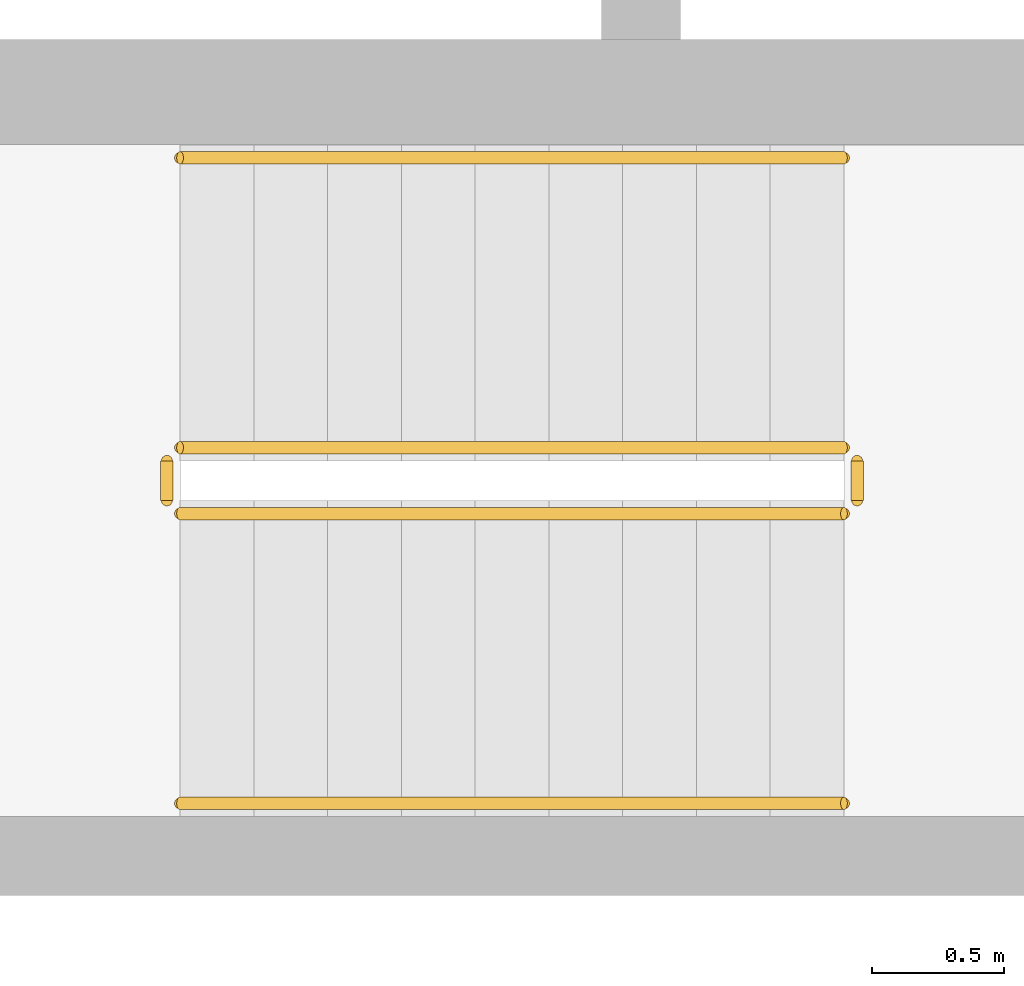
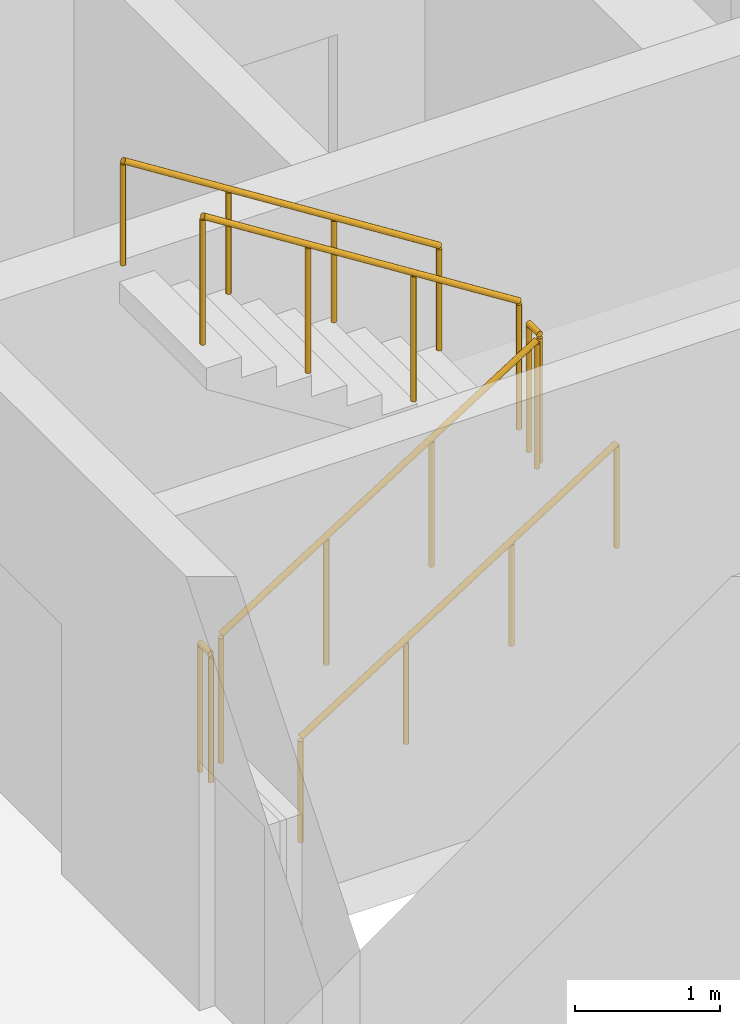
# One storey, part 14 of 16: 6 railings.
"""IFC4 building model written with IfcOpenShell, lengths in metres."""

from ifc_helpers import new_model, si_unit, direction, frame, origin, origin_2d, place, context, subcontext, project, spatial, circle, extrude, material, type_object, element, save


model = new_model("IFC4")

# Units and contexts
model_context = context("Model", 3, precision=1e-05, world=origin(), true_north=direction((0.0, 1.0)))
body_context = subcontext(model_context, "Body", "Model", "MODEL_VIEW")
ifc_project = project(units=[si_unit("LENGTHUNIT", "METRE"), si_unit("AREAUNIT", "SQUARE_METRE"), si_unit("VOLUMEUNIT", "CUBIC_METRE"), si_unit("PLANEANGLEUNIT", "RADIAN"), si_unit("MASSUNIT", "GRAM", prefix="KILO")], contexts=[model_context])

# Site, building, storey
site_placement = place(None, origin())
site = spatial("IfcSite", under=ifc_project, at=site_placement, CompositionType="ELEMENT")
building_placement = place(site_placement, origin())
building = spatial("IfcBuilding", under=site, at=building_placement, Name="Ostrand Prow Hotel Tower", CompositionType="ELEMENT")
storey_placement = place(building_placement, frame((0.0, 0.0, 249.199951171875)))
storey = spatial("IfcBuildingStorey", under=building, at=storey_placement, Name="L63", CompositionType="ELEMENT", Elevation=249.199951171875)

# Railings
ifc_material_1 = material(Name="Painted steel", Category="steel")
railing_type_1 = type_object("IfcRailingType", Name="Stair guard 1100", PredefinedType="GUARDRAIL", material=ifc_material_1)
railing_1_placement = place(storey_placement, frame((57.199951171875, -11.75, 0.177490234375)))
element("IfcRailing", 1, at=railing_1_placement, inside=storey, type_object=railing_type_1, Name="L63 ST2C stair guard 1", PredefinedType="GUARDRAIL", context=body_context, shape_type="SweptSolid", body=[
    extrude(circle(Radius=0.02392578125, at=origin_2d()), frame((0.0, 0.0, 1.076171875), z_axis=(0.84456994832, 0.0, 0.535445237532), x_axis=(0.0, 1.0, 0.0)), (0.0, 0.0, 1.0), 2.98388671875),
    extrude(circle(Radius=0.02099609375, at=origin_2d()), origin(), (0.0, 0.0, 1.0), 1.052001953125),
    extrude(circle(Radius=0.02099609375, at=origin_2d()), frame((0.840087890625, 0.0, 0.532470703125)), (0.0, 0.0, 1.0), 1.052001953125),
    extrude(circle(Radius=0.02099609375, at=origin_2d()), frame((1.679931640625, 0.0, 1.065185546875)), (0.0, 0.0, 1.0), 1.052001953125),
    extrude(circle(Radius=0.02099609375, at=origin_2d()), frame((2.52001953125, 0.0, 1.59765625)), (0.0, 0.0, 1.0), 1.052001953125),
])
railing_2_placement = place(storey_placement, frame((59.77001953125, -11.699951171875, 1.775146484375)))
element("IfcRailing", 2, at=railing_2_placement, inside=storey, type_object=railing_type_1, Name="L63 ST2C stair guard 2", PredefinedType="GUARDRAIL", context=body_context, shape_type="SweptSolid", body=[
    extrude(circle(Radius=0.02392578125, at=origin_2d()), frame((0.0, 0.0, 1.076171875), z_axis=(0.0, 1.0, 0.0), x_axis=(-1.0, 0.0, 0.0)), (0.0, 0.0, 1.0), 0.14990234375),
    extrude(circle(Radius=0.02099609375, at=origin_2d()), origin(), (0.0, 0.0, 1.0), 1.052001953125),
    extrude(circle(Radius=0.02099609375, at=origin_2d()), frame((0.0, 0.14990234375, 0.0)), (0.0, 0.0, 1.0), 1.052001953125),
])
railing_3_placement = place(storey_placement, frame((59.719970703125, -11.5, 1.95263671875)))
element("IfcRailing", 3, at=railing_3_placement, inside=storey, type_object=railing_type_1, Name="L63 ST2C stair guard 3", PredefinedType="GUARDRAIL", context=body_context, shape_type="SweptSolid", body=[
    extrude(circle(Radius=0.02392578125, at=origin_2d()), frame((0.0, 0.0, 1.076171875), z_axis=(-0.84460694969, 0.0, 0.535386869969), x_axis=(0.0, -1.0, 0.0)), (0.0, 0.0, 1.0), 2.983642578125),
    extrude(circle(Radius=0.02099609375, at=origin_2d()), origin(), (0.0, 0.0, 1.0), 1.052001953125),
    extrude(circle(Radius=0.02099609375, at=origin_2d()), frame((-0.840087890625, 0.0, 0.532470703125)), (0.0, 0.0, 1.0), 1.052001953125),
    extrude(circle(Radius=0.02099609375, at=origin_2d()), frame((-1.679931640625, 0.0, 1.06494140625)), (0.0, 0.0, 1.0), 1.052001953125),
    extrude(circle(Radius=0.02099609375, at=origin_2d()), frame((-2.52001953125, 0.0, 1.597412109375)), (0.0, 0.0, 1.0), 1.052001953125),
])
railing_4_placement = place(storey_placement, frame((57.14990234375, -11.699951171875, 0.0)))
element("IfcRailing", 4, at=railing_4_placement, inside=storey, type_object=railing_type_1, Name="L63 ST2C stair guard 4", PredefinedType="GUARDRAIL", context=body_context, shape_type="SweptSolid", body=[
    extrude(circle(Radius=0.02392578125, at=origin_2d()), frame((0.0, 0.0, 1.076171875), z_axis=(0.0, 1.0, 0.0), x_axis=(-1.0, 0.0, 0.0)), (0.0, 0.0, 1.0), 0.14990234375),
    extrude(circle(Radius=0.02099609375, at=origin_2d()), origin(), (0.0, 0.0, 1.0), 1.052001953125),
    extrude(circle(Radius=0.02099609375, at=origin_2d()), frame((0.0, 0.14990234375, 0.0)), (0.0, 0.0, 1.0), 1.052001953125),
])
ifc_material_2 = material(Name="Stainless steel", Category="steel")
railing_type_2 = type_object("IfcRailingType", Name="Stair handrail 900", PredefinedType="HANDRAIL", material=ifc_material_2)
railing_5_placement = place(storey_placement, frame((57.199951171875, -12.85009765625, 0.177490234375)))
element("IfcRailing", 5, at=railing_5_placement, inside=storey, type_object=railing_type_2, Name="L63 ST2C stair handrail 1", PredefinedType="HANDRAIL", context=body_context, shape_type="SweptSolid", body=[
    extrude(circle(Radius=0.02392578125, at=origin_2d()), frame((0.0, 0.0, 0.8759765625), z_axis=(0.84456994832, 0.0, 0.535445237532), x_axis=(0.0, 1.0, 0.0)), (0.0, 0.0, 1.0), 2.98388671875),
    extrude(circle(Radius=0.02099609375, at=origin_2d()), origin(), (0.0, 0.0, 1.0), 0.851806640625),
    extrude(circle(Radius=0.02099609375, at=origin_2d()), frame((0.840087890625, 0.0, 0.532470703125)), (0.0, 0.0, 1.0), 0.851806640625),
    extrude(circle(Radius=0.02099609375, at=origin_2d()), frame((1.679931640625, 0.0, 1.065185546875)), (0.0, 0.0, 1.0), 0.851806640625),
    extrude(circle(Radius=0.02099609375, at=origin_2d()), frame((2.52001953125, 0.0, 1.59765625)), (0.0, 0.0, 1.0), 0.851806640625),
])
railing_6_placement = place(storey_placement, frame((59.719970703125, -10.39990234375, 1.95263671875)))
element("IfcRailing", 6, at=railing_6_placement, inside=storey, type_object=railing_type_2, Name="L63 ST2C stair handrail 2", PredefinedType="HANDRAIL", context=body_context, shape_type="SweptSolid", body=[
    extrude(circle(Radius=0.02392578125, at=origin_2d()), frame((0.0, 0.0, 0.8759765625), z_axis=(-0.84460694969, 0.0, 0.535386869969), x_axis=(0.0, -1.0, 0.0)), (0.0, 0.0, 1.0), 2.983642578125),
    extrude(circle(Radius=0.02099609375, at=origin_2d()), origin(), (0.0, 0.0, 1.0), 0.851806640625),
    extrude(circle(Radius=0.02099609375, at=origin_2d()), frame((-0.840087890625, 0.0, 0.532470703125)), (0.0, 0.0, 1.0), 0.851806640625),
    extrude(circle(Radius=0.02099609375, at=origin_2d()), frame((-1.679931640625, 0.0, 1.06494140625)), (0.0, 0.0, 1.0), 0.851806640625),
    extrude(circle(Radius=0.02099609375, at=origin_2d()), frame((-2.52001953125, 0.0, 1.597412109375)), (0.0, 0.0, 1.0), 0.851806640625),
])

save(model, "model.ifc")
